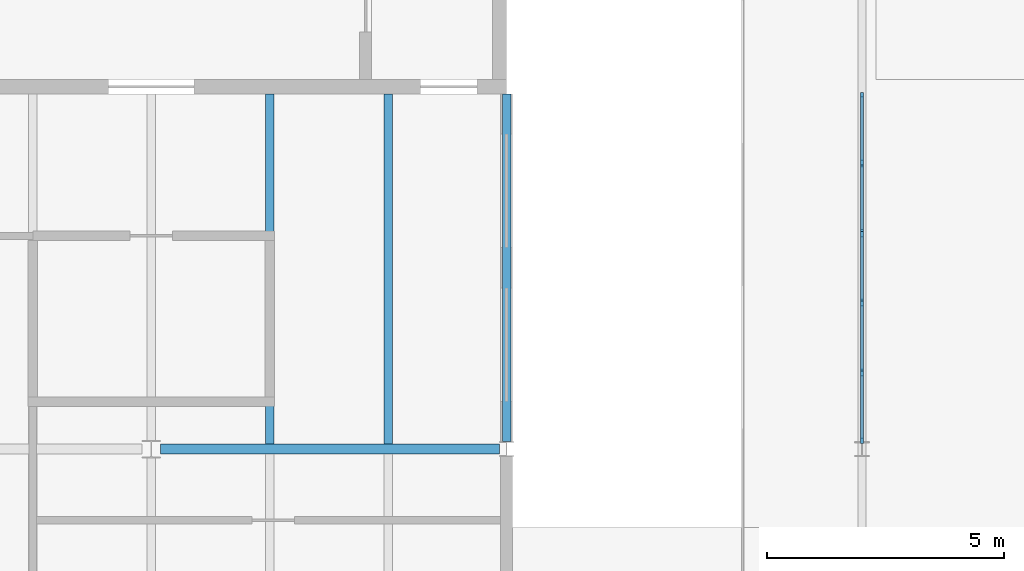
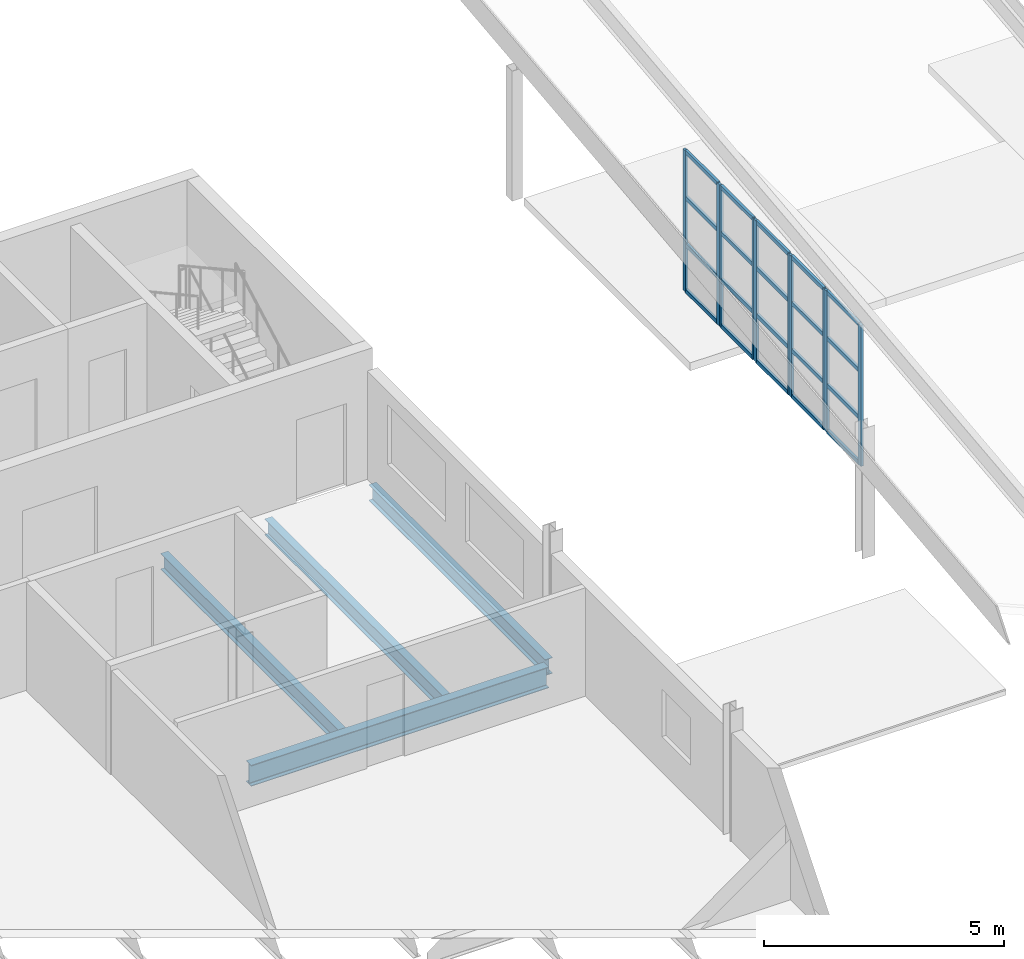
# One storey, part 40 of 199: 30 members, 4 beams, 5 elements without a shape of their own.
"""IFC4 building model written with IfcOpenShell, lengths in metres."""

from ifc_helpers import new_model, si_unit, direction, frame, origin, origin_2d, place, context, subcontext, project, spatial, rectangle, i_section, extrude, material, material_profile, profile_set, type_object, element, aggregate, save


model = new_model("IFC4")

# Units and contexts
model_context = context("Model", 3, precision=1e-05, world=origin(), true_north=direction((0.0, 1.0)))
body_context = subcontext(model_context, "Body", "Model", "MODEL_VIEW")
ifc_project = project(units=[si_unit("LENGTHUNIT", "METRE"), si_unit("AREAUNIT", "SQUARE_METRE"), si_unit("VOLUMEUNIT", "CUBIC_METRE"), si_unit("PLANEANGLEUNIT", "RADIAN"), si_unit("MASSUNIT", "GRAM", prefix="KILO")], contexts=[model_context])

# Site, building, storey
site_placement = place(None, origin())
site = spatial("IfcSite", under=ifc_project, at=site_placement, CompositionType="ELEMENT")
building_placement = place(site_placement, origin())
building = spatial("IfcBuilding", under=site, at=building_placement, Name="Parallax Yard Mobility Hub", CompositionType="ELEMENT")
storey_placement = place(building_placement, frame((0.0, 0.0, 9.89990234375)))
storey = spatial("IfcBuildingStorey", under=building, at=storey_placement, Name="L03", CompositionType="ELEMENT", Elevation=9.89990234375)

# Curtain wall, members
ifc_material_1 = material(Name="Thermally broken aluminium curtain wall system", Category="aluminium")
curtain_wall_type = type_object("IfcCurtainWallType", Name="Clerestory glazing run 60 x 120 frame", PredefinedType="NOTDEFINED", material=ifc_material_1)
curtain_wall_1_placement = place(storey_placement, origin())
curtain_wall_1 = element("IfcCurtainWall", 1, at=curtain_wall_1_placement, inside=storey, type_object=curtain_wall_type, Name="Clerestory glazing run Bicycle and shared-mobility hall west bay 5 level L02", PredefinedType="NOTDEFINED")
ifc_material_2 = material(Name="Extruded aluminium", Category="aluminium")
ifc_material_profile_1 = material_profile(ifc_material_2, rectangle(XDim=0.06005859375, YDim=0.1201171875, at=origin_2d()), Name="Mullion 60 x 120")
ifc_profile_set_1 = profile_set([ifc_material_profile_1], Name="Extruded aluminium")
member_type_1 = type_object("IfcMemberType", Name="Mullion 60 x 120", PredefinedType="MULLION", material=ifc_profile_set_1)
member_1_placement = place(storey_placement, frame((150.0, 37.68359375, 2.140625), z_axis=(0.0, 0.0, 1.0), x_axis=(-1.0, 0.0, 0.0)))
member_1 = element("IfcMember", 2, at=member_1_placement, type_object=member_type_1, Name="CW4 mullion 1", PredefinedType="MULLION", context=body_context, shape_type="SweptSolid", body=[
    extrude(rectangle(XDim=0.06005859375, YDim=0.1201171875, at=origin_2d()), origin(), (0.0, 0.0, 1.0), 3.58056640625),
])
member_2_placement = place(storey_placement, frame((150.0, 39.0927734375, 2.140625), z_axis=(0.0, 0.0, 1.0), x_axis=(-1.0, 0.0, 0.0)))
member_2 = element("IfcMember", 3, at=member_2_placement, type_object=member_type_1, Name="CW4 mullion 2", PredefinedType="MULLION", context=body_context, shape_type="SweptSolid", body=[
    extrude(rectangle(XDim=0.06005859375, YDim=0.1201171875, at=origin_2d()), origin(), (0.0, 0.0, 1.0), 3.58056640625),
])

curtain_wall_2_placement = place(storey_placement, origin())
curtain_wall_2 = element("IfcCurtainWall", 4, at=curtain_wall_2_placement, inside=storey, type_object=curtain_wall_type, Name="Clerestory glazing run Bicycle and shared-mobility hall west bay 5 level L02", PredefinedType="NOTDEFINED")
member_3_placement = place(storey_placement, frame((150.0, 39.15283203125, 2.140625), z_axis=(0.0, 0.0, 1.0), x_axis=(-1.0, 0.0, 0.0)))
member_3 = element("IfcMember", 5, at=member_3_placement, type_object=member_type_1, Name="CW4 mullion 1", PredefinedType="MULLION", context=body_context, shape_type="SweptSolid", body=[
    extrude(rectangle(XDim=0.06005859375, YDim=0.1201171875, at=origin_2d()), origin(), (0.0, 0.0, 1.0), 3.58056640625),
])
member_4_placement = place(storey_placement, frame((150.0, 40.56201171875, 2.140625), z_axis=(0.0, 0.0, 1.0), x_axis=(-1.0, 0.0, 0.0)))
member_4 = element("IfcMember", 6, at=member_4_placement, type_object=member_type_1, Name="CW4 mullion 2", PredefinedType="MULLION", context=body_context, shape_type="SweptSolid", body=[
    extrude(rectangle(XDim=0.06005859375, YDim=0.1201171875, at=origin_2d()), origin(), (0.0, 0.0, 1.0), 3.58056640625),
])

curtain_wall_3_placement = place(storey_placement, origin())
curtain_wall_3 = element("IfcCurtainWall", 7, at=curtain_wall_3_placement, inside=storey, type_object=curtain_wall_type, Name="Clerestory glazing run Bicycle and shared-mobility hall west bay 5 level L02", PredefinedType="NOTDEFINED")
member_5_placement = place(storey_placement, frame((150.0, 40.6220703125, 2.140625), z_axis=(0.0, 0.0, 1.0), x_axis=(-1.0, 0.0, 0.0)))
member_5 = element("IfcMember", 8, at=member_5_placement, type_object=member_type_1, Name="CW4 mullion 1", PredefinedType="MULLION", context=body_context, shape_type="SweptSolid", body=[
    extrude(rectangle(XDim=0.06005859375, YDim=0.1201171875, at=origin_2d()), origin(), (0.0, 0.0, 1.0), 3.58056640625),
])
member_6_placement = place(storey_placement, frame((150.0, 42.031494140625, 2.140625), z_axis=(0.0, 0.0, 1.0), x_axis=(-1.0, 0.0, 0.0)))
member_6 = element("IfcMember", 9, at=member_6_placement, type_object=member_type_1, Name="CW4 mullion 2", PredefinedType="MULLION", context=body_context, shape_type="SweptSolid", body=[
    extrude(rectangle(XDim=0.06005859375, YDim=0.1201171875, at=origin_2d()), origin(), (0.0, 0.0, 1.0), 3.58056640625),
])

curtain_wall_4_placement = place(storey_placement, origin())
curtain_wall_4 = element("IfcCurtainWall", 10, at=curtain_wall_4_placement, inside=storey, type_object=curtain_wall_type, Name="Clerestory glazing run Bicycle and shared-mobility hall west bay 5 level L02", PredefinedType="NOTDEFINED")
member_7_placement = place(storey_placement, frame((150.0, 42.09130859375, 2.140625), z_axis=(0.0, 0.0, 1.0), x_axis=(-1.0, 0.0, 0.0)))
member_7 = element("IfcMember", 11, at=member_7_placement, type_object=member_type_1, Name="CW4 mullion 1", PredefinedType="MULLION", context=body_context, shape_type="SweptSolid", body=[
    extrude(rectangle(XDim=0.06005859375, YDim=0.1201171875, at=origin_2d()), origin(), (0.0, 0.0, 1.0), 3.58056640625),
])
member_8_placement = place(storey_placement, frame((150.0, 43.500732421875, 2.140625), z_axis=(0.0, 0.0, 1.0), x_axis=(-1.0, 0.0, 0.0)))
member_8 = element("IfcMember", 12, at=member_8_placement, type_object=member_type_1, Name="CW4 mullion 2", PredefinedType="MULLION", context=body_context, shape_type="SweptSolid", body=[
    extrude(rectangle(XDim=0.06005859375, YDim=0.1201171875, at=origin_2d()), origin(), (0.0, 0.0, 1.0), 3.58056640625),
])

curtain_wall_5_placement = place(storey_placement, origin())
curtain_wall_5 = element("IfcCurtainWall", 13, at=curtain_wall_5_placement, inside=storey, type_object=curtain_wall_type, Name="Clerestory glazing run Bicycle and shared-mobility hall west bay 5 level L02", PredefinedType="NOTDEFINED")
member_9_placement = place(storey_placement, frame((150.0, 43.560791015625, 2.140625), z_axis=(0.0, 0.0, 1.0), x_axis=(-1.0, 0.0, 0.0)))
member_9 = element("IfcMember", 14, at=member_9_placement, type_object=member_type_1, Name="CW4 mullion 1", PredefinedType="MULLION", context=body_context, shape_type="SweptSolid", body=[
    extrude(rectangle(XDim=0.06005859375, YDim=0.1201171875, at=origin_2d()), origin(), (0.0, 0.0, 1.0), 3.58056640625),
])
member_10_placement = place(storey_placement, frame((150.0, 44.969970703125, 2.140625), z_axis=(0.0, 0.0, 1.0), x_axis=(-1.0, 0.0, 0.0)))
member_10 = element("IfcMember", 15, at=member_10_placement, type_object=member_type_1, Name="CW4 mullion 2", PredefinedType="MULLION", context=body_context, shape_type="SweptSolid", body=[
    extrude(rectangle(XDim=0.06005859375, YDim=0.1201171875, at=origin_2d()), origin(), (0.0, 0.0, 1.0), 3.58056640625),
])

# Member
ifc_material_profile_2 = material_profile(ifc_material_2, rectangle(XDim=0.06005859375, YDim=0.10009765625, at=origin_2d()), Name="Transom 60 x 100")
ifc_profile_set_2 = profile_set([ifc_material_profile_2], Name="Extruded aluminium")
member_type_2 = type_object("IfcMemberType", Name="Transom 60 x 100", PredefinedType="USERDEFINED", material=ifc_profile_set_2)
member_11_placement = place(storey_placement, frame((150.0, 37.71337890625, 2.170654296875), z_axis=(0.0, 1.0, 0.0), x_axis=(-1.0, 0.0, 0.0)))
member_11 = element("IfcMember", 16, at=member_11_placement, type_object=member_type_2, Name="CW4 transom 1.1", ObjectType="TRANSOM", PredefinedType="USERDEFINED", context=body_context, shape_type="SweptSolid", body=[
    extrude(rectangle(XDim=0.06005859375, YDim=0.10009765625, at=origin_2d()), origin(), (0.0, 0.0, 1.0), 1.349365234375),
])

member_12_placement = place(storey_placement, frame((150.0, 37.71337890625, 3.333984375), z_axis=(0.0, 1.0, 0.0), x_axis=(-1.0, 0.0, 0.0)))
member_12 = element("IfcMember", 17, at=member_12_placement, type_object=member_type_2, Name="CW4 transom 1.2", ObjectType="TRANSOM", PredefinedType="USERDEFINED", context=body_context, shape_type="SweptSolid", body=[
    extrude(rectangle(XDim=0.06005859375, YDim=0.10009765625, at=origin_2d()), origin(), (0.0, 0.0, 1.0), 1.349365234375),
])

member_13_placement = place(storey_placement, frame((150.0, 37.71337890625, 4.527587890625), z_axis=(0.0, 1.0, 0.0), x_axis=(-1.0, 0.0, 0.0)))
member_13 = element("IfcMember", 18, at=member_13_placement, type_object=member_type_2, Name="CW4 transom 1.3", ObjectType="TRANSOM", PredefinedType="USERDEFINED", context=body_context, shape_type="SweptSolid", body=[
    extrude(rectangle(XDim=0.06005859375, YDim=0.10009765625, at=origin_2d()), origin(), (0.0, 0.0, 1.0), 1.349365234375),
])

member_14_placement = place(storey_placement, frame((150.0, 37.71337890625, 5.691162109375), z_axis=(0.0, 1.0, 0.0), x_axis=(-1.0, 0.0, 0.0)))
member_14 = element("IfcMember", 19, at=member_14_placement, type_object=member_type_2, Name="CW4 transom 1.4", ObjectType="TRANSOM", PredefinedType="USERDEFINED", context=body_context, shape_type="SweptSolid", body=[
    extrude(rectangle(XDim=0.06005859375, YDim=0.10009765625, at=origin_2d()), origin(), (0.0, 0.0, 1.0), 1.349365234375),
])

aggregate(curtain_wall_1, [member_1, member_2, member_11, member_12, member_13, member_14])

member_15_placement = place(storey_placement, frame((150.0, 39.182861328125, 2.170654296875), z_axis=(0.0, 1.0, 0.0), x_axis=(-1.0, 0.0, 0.0)))
member_15 = element("IfcMember", 20, at=member_15_placement, type_object=member_type_2, Name="CW4 transom 1.1", ObjectType="TRANSOM", PredefinedType="USERDEFINED", context=body_context, shape_type="SweptSolid", body=[
    extrude(rectangle(XDim=0.06005859375, YDim=0.10009765625, at=origin_2d()), origin(), (0.0, 0.0, 1.0), 1.34912109375),
])

member_16_placement = place(storey_placement, frame((150.0, 39.182861328125, 3.333984375), z_axis=(0.0, 1.0, 0.0), x_axis=(-1.0, 0.0, 0.0)))
member_16 = element("IfcMember", 21, at=member_16_placement, type_object=member_type_2, Name="CW4 transom 1.2", ObjectType="TRANSOM", PredefinedType="USERDEFINED", context=body_context, shape_type="SweptSolid", body=[
    extrude(rectangle(XDim=0.06005859375, YDim=0.10009765625, at=origin_2d()), origin(), (0.0, 0.0, 1.0), 1.34912109375),
])

member_17_placement = place(storey_placement, frame((150.0, 39.182861328125, 4.527587890625), z_axis=(0.0, 1.0, 0.0), x_axis=(-1.0, 0.0, 0.0)))
member_17 = element("IfcMember", 22, at=member_17_placement, type_object=member_type_2, Name="CW4 transom 1.3", ObjectType="TRANSOM", PredefinedType="USERDEFINED", context=body_context, shape_type="SweptSolid", body=[
    extrude(rectangle(XDim=0.06005859375, YDim=0.10009765625, at=origin_2d()), origin(), (0.0, 0.0, 1.0), 1.34912109375),
])

member_18_placement = place(storey_placement, frame((150.0, 39.182861328125, 5.691162109375), z_axis=(0.0, 1.0, 0.0), x_axis=(-1.0, 0.0, 0.0)))
member_18 = element("IfcMember", 23, at=member_18_placement, type_object=member_type_2, Name="CW4 transom 1.4", ObjectType="TRANSOM", PredefinedType="USERDEFINED", context=body_context, shape_type="SweptSolid", body=[
    extrude(rectangle(XDim=0.06005859375, YDim=0.10009765625, at=origin_2d()), origin(), (0.0, 0.0, 1.0), 1.34912109375),
])

aggregate(curtain_wall_2, [member_3, member_4, member_15, member_16, member_17, member_18])

member_19_placement = place(storey_placement, frame((150.0, 40.652099609375, 2.170654296875), z_axis=(0.0, 1.0, 0.0), x_axis=(-1.0, 0.0, 0.0)))
member_19 = element("IfcMember", 24, at=member_19_placement, type_object=member_type_2, Name="CW4 transom 1.1", ObjectType="TRANSOM", PredefinedType="USERDEFINED", context=body_context, shape_type="SweptSolid", body=[
    extrude(rectangle(XDim=0.06005859375, YDim=0.10009765625, at=origin_2d()), origin(), (0.0, 0.0, 1.0), 1.349365234375),
])

member_20_placement = place(storey_placement, frame((150.0, 40.652099609375, 3.333984375), z_axis=(0.0, 1.0, 0.0), x_axis=(-1.0, 0.0, 0.0)))
member_20 = element("IfcMember", 25, at=member_20_placement, type_object=member_type_2, Name="CW4 transom 1.2", ObjectType="TRANSOM", PredefinedType="USERDEFINED", context=body_context, shape_type="SweptSolid", body=[
    extrude(rectangle(XDim=0.06005859375, YDim=0.10009765625, at=origin_2d()), origin(), (0.0, 0.0, 1.0), 1.349365234375),
])

member_21_placement = place(storey_placement, frame((150.0, 40.652099609375, 4.527587890625), z_axis=(0.0, 1.0, 0.0), x_axis=(-1.0, 0.0, 0.0)))
member_21 = element("IfcMember", 26, at=member_21_placement, type_object=member_type_2, Name="CW4 transom 1.3", ObjectType="TRANSOM", PredefinedType="USERDEFINED", context=body_context, shape_type="SweptSolid", body=[
    extrude(rectangle(XDim=0.06005859375, YDim=0.10009765625, at=origin_2d()), origin(), (0.0, 0.0, 1.0), 1.349365234375),
])

member_22_placement = place(storey_placement, frame((150.0, 40.652099609375, 5.691162109375), z_axis=(0.0, 1.0, 0.0), x_axis=(-1.0, 0.0, 0.0)))
member_22 = element("IfcMember", 27, at=member_22_placement, type_object=member_type_2, Name="CW4 transom 1.4", ObjectType="TRANSOM", PredefinedType="USERDEFINED", context=body_context, shape_type="SweptSolid", body=[
    extrude(rectangle(XDim=0.06005859375, YDim=0.10009765625, at=origin_2d()), origin(), (0.0, 0.0, 1.0), 1.349365234375),
])

aggregate(curtain_wall_3, [member_5, member_6, member_19, member_20, member_21, member_22])

member_23_placement = place(storey_placement, frame((150.0, 42.121337890625, 2.170654296875), z_axis=(0.0, 1.0, 0.0), x_axis=(-1.0, 0.0, 0.0)))
member_23 = element("IfcMember", 28, at=member_23_placement, type_object=member_type_2, Name="CW4 transom 1.1", ObjectType="TRANSOM", PredefinedType="USERDEFINED", context=body_context, shape_type="SweptSolid", body=[
    extrude(rectangle(XDim=0.06005859375, YDim=0.10009765625, at=origin_2d()), origin(), (0.0, 0.0, 1.0), 1.349365234375),
])

member_24_placement = place(storey_placement, frame((150.0, 42.121337890625, 3.333984375), z_axis=(0.0, 1.0, 0.0), x_axis=(-1.0, 0.0, 0.0)))
member_24 = element("IfcMember", 29, at=member_24_placement, type_object=member_type_2, Name="CW4 transom 1.2", ObjectType="TRANSOM", PredefinedType="USERDEFINED", context=body_context, shape_type="SweptSolid", body=[
    extrude(rectangle(XDim=0.06005859375, YDim=0.10009765625, at=origin_2d()), origin(), (0.0, 0.0, 1.0), 1.349365234375),
])

member_25_placement = place(storey_placement, frame((150.0, 42.121337890625, 4.527587890625), z_axis=(0.0, 1.0, 0.0), x_axis=(-1.0, 0.0, 0.0)))
member_25 = element("IfcMember", 30, at=member_25_placement, type_object=member_type_2, Name="CW4 transom 1.3", ObjectType="TRANSOM", PredefinedType="USERDEFINED", context=body_context, shape_type="SweptSolid", body=[
    extrude(rectangle(XDim=0.06005859375, YDim=0.10009765625, at=origin_2d()), origin(), (0.0, 0.0, 1.0), 1.349365234375),
])

member_26_placement = place(storey_placement, frame((150.0, 42.121337890625, 5.691162109375), z_axis=(0.0, 1.0, 0.0), x_axis=(-1.0, 0.0, 0.0)))
member_26 = element("IfcMember", 31, at=member_26_placement, type_object=member_type_2, Name="CW4 transom 1.4", ObjectType="TRANSOM", PredefinedType="USERDEFINED", context=body_context, shape_type="SweptSolid", body=[
    extrude(rectangle(XDim=0.06005859375, YDim=0.10009765625, at=origin_2d()), origin(), (0.0, 0.0, 1.0), 1.349365234375),
])

aggregate(curtain_wall_4, [member_7, member_8, member_23, member_24, member_25, member_26])

member_27_placement = place(storey_placement, frame((150.0, 43.5908203125, 2.170654296875), z_axis=(0.0, 1.0, 0.0), x_axis=(-1.0, 0.0, 0.0)))
member_27 = element("IfcMember", 32, at=member_27_placement, type_object=member_type_2, Name="CW4 transom 1.1", ObjectType="TRANSOM", PredefinedType="USERDEFINED", context=body_context, shape_type="SweptSolid", body=[
    extrude(rectangle(XDim=0.06005859375, YDim=0.10009765625, at=origin_2d()), origin(), (0.0, 0.0, 1.0), 1.34912109375),
])

member_28_placement = place(storey_placement, frame((150.0, 43.5908203125, 3.333984375), z_axis=(0.0, 1.0, 0.0), x_axis=(-1.0, 0.0, 0.0)))
member_28 = element("IfcMember", 33, at=member_28_placement, type_object=member_type_2, Name="CW4 transom 1.2", ObjectType="TRANSOM", PredefinedType="USERDEFINED", context=body_context, shape_type="SweptSolid", body=[
    extrude(rectangle(XDim=0.06005859375, YDim=0.10009765625, at=origin_2d()), origin(), (0.0, 0.0, 1.0), 1.34912109375),
])

member_29_placement = place(storey_placement, frame((150.0, 43.5908203125, 4.527587890625), z_axis=(0.0, 1.0, 0.0), x_axis=(-1.0, 0.0, 0.0)))
member_29 = element("IfcMember", 34, at=member_29_placement, type_object=member_type_2, Name="CW4 transom 1.3", ObjectType="TRANSOM", PredefinedType="USERDEFINED", context=body_context, shape_type="SweptSolid", body=[
    extrude(rectangle(XDim=0.06005859375, YDim=0.10009765625, at=origin_2d()), origin(), (0.0, 0.0, 1.0), 1.34912109375),
])

member_30_placement = place(storey_placement, frame((150.0, 43.5908203125, 5.691162109375), z_axis=(0.0, 1.0, 0.0), x_axis=(-1.0, 0.0, 0.0)))
member_30 = element("IfcMember", 35, at=member_30_placement, type_object=member_type_2, Name="CW4 transom 1.4", ObjectType="TRANSOM", PredefinedType="USERDEFINED", context=body_context, shape_type="SweptSolid", body=[
    extrude(rectangle(XDim=0.06005859375, YDim=0.10009765625, at=origin_2d()), origin(), (0.0, 0.0, 1.0), 1.34912109375),
])

aggregate(curtain_wall_5, [member_9, member_10, member_27, member_28, member_29, member_30])

# Beams
ifc_material_3 = material(Name="Steel ASTM A992", Category="steel")
ifc_material_profile_3 = material_profile(ifc_material_3, i_section(OverallWidth=0.177978515625, OverallDepth=0.406005859375, WebThickness=0.0078125, FlangeThickness=0.0126953125, FilletRadius=0.01025390625, at=origin_2d()), Name="W410x60")
ifc_profile_set_3 = profile_set([ifc_material_profile_3], Name="Steel ASTM A992")
beam_type_1 = type_object("IfcBeamType", Name="W410x60 secondary beam", PredefinedType="JOIST", material=ifc_profile_set_3)
for number, where, z_axis, x_axis, name in (
    (36, (137.5, 37.6044921875, -0.343017578125), (0.0, 1.0, 0.0), (-1.0, 0.0, 0.0), "Secondary beam B1 level L03, 2.5 m east of line 19 of mobility service centre and workshops, span 5"),
    (37, (140.0, 37.6044921875, -0.343017578125), (0.0, 1.0, 0.0), (-1.0, 0.0, 0.0), "Secondary beam B1 level L03, 5 m east of line 19 of mobility service centre and workshops, span 5"),
):
    element("IfcBeam", number, at=place(storey_placement, frame(where, z_axis=z_axis, x_axis=x_axis)), inside=storey, type_object=beam_type_1, Name=name, PredefinedType="JOIST", context=body_context, shape_type="SweptSolid", body=[
        extrude(i_section(OverallWidth=0.177978515625, OverallDepth=0.406005859375, WebThickness=0.0078125, FlangeThickness=0.0126953125, FilletRadius=0.01025390625, at=origin_2d()), origin(), (0.0, 0.0, 1.0), 7.3955078125),
    ])
ifc_material_profile_4 = material_profile(ifc_material_3, i_section(OverallWidth=0.178955078125, OverallDepth=0.408935546875, WebThickness=0.0087890625, FlangeThickness=0.014404296875, FilletRadius=0.01025390625, at=origin_2d()), Name="W410x67")
ifc_profile_set_4 = profile_set([ifc_material_profile_4], Name="Steel ASTM A992")
beam_type_2 = type_object("IfcBeamType", Name="W410x67 edge beam", PredefinedType="SPANDREL", material=ifc_profile_set_4)
beam_1_placement = place(storey_placement, frame((142.5, 37.658935546875, -0.344482421875), z_axis=(0.0, 1.0, 0.0), x_axis=(-1.0, 0.0, 0.0)))
element("IfcBeam", 38, at=beam_1_placement, inside=storey, type_object=beam_type_2, Name="Edge beam SB3 level L03, line 20 of mobility service centre and workshops, span 5", PredefinedType="SPANDREL", context=body_context, shape_type="SweptSolid", body=[
    extrude(i_section(OverallWidth=0.178955078125, OverallDepth=0.408935546875, WebThickness=0.0087890625, FlangeThickness=0.014404296875, FilletRadius=0.01025390625, at=origin_2d()), origin(), (0.0, 0.0, 1.0), 7.341064453125),
])
ifc_material_profile_5 = material_profile(ifc_material_3, i_section(OverallWidth=0.208984375, OverallDepth=0.532958984375, WebThickness=0.01025390625, FlangeThickness=0.015625, FilletRadius=0.0126953125, at=origin_2d()), Name="W530x92")
ifc_profile_set_5 = profile_set([ifc_material_profile_5], Name="Steel ASTM A992")
beam_type_3 = type_object("IfcBeamType", Name="W530x92 longitudinal beam", PredefinedType="BEAM", material=ifc_profile_set_5)
beam_2_placement = place(storey_placement, frame((135.197021484375, 37.5, -0.406494140625), z_axis=(1.0, 0.0, 0.0), x_axis=(0.0, 1.0, 0.0)))
element("IfcBeam", 39, at=beam_2_placement, inside=storey, type_object=beam_type_3, Name="Longitudinal beam SB6 level L03, line F of mobility service centre and workshops, span 6", PredefinedType="BEAM", context=body_context, shape_type="SweptSolid", body=[
    extrude(i_section(OverallWidth=0.208984375, OverallDepth=0.532958984375, WebThickness=0.01025390625, FlangeThickness=0.015625, FilletRadius=0.0126953125, at=origin_2d()), origin(), (0.0, 0.0, 1.0), 7.1494140625),
])

save(model, "model.ifc")
